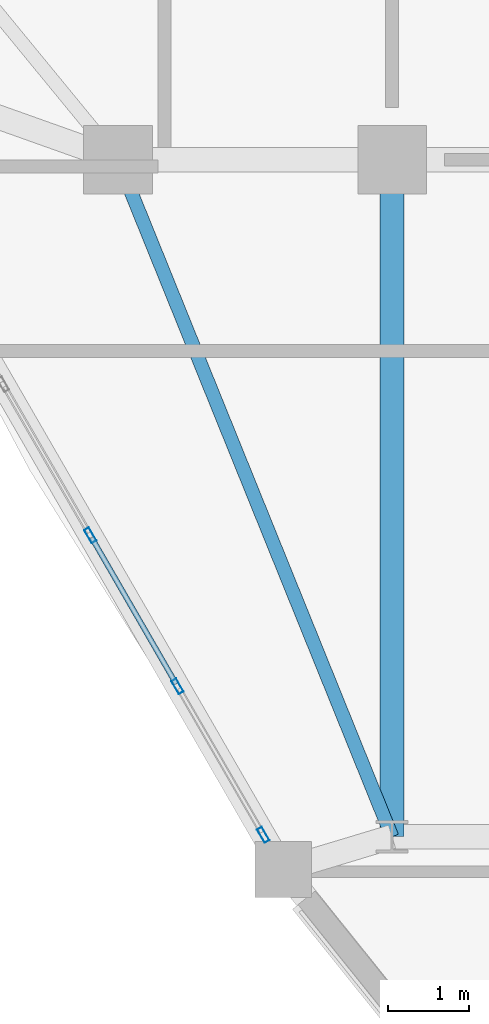
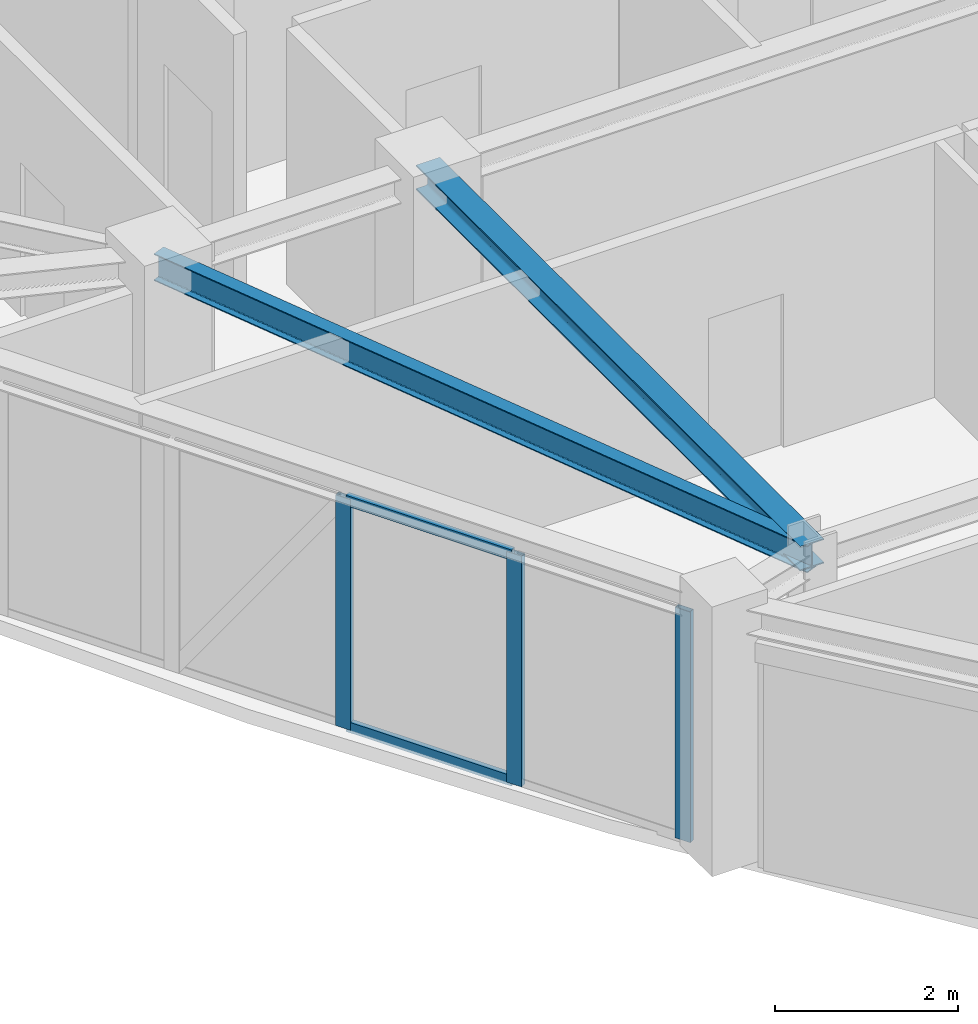
# One storey, part 2 of 15: 5 members, 2 beams, 1 element without a shape of its own.
"""IFC4 building model written with IfcOpenShell, lengths in metres."""

from ifc_helpers import new_model, si_unit, derived_unit, direction, frame, origin, origin_2d, place, context, subcontext, project, spatial, hollow_rectangle, i_section, extrude, source, transform, mapped, material, layer, layer_set, material_profile, profile_set, type_object, element, aggregate, save


model = new_model("IFC4")

# Units and contexts
model_context = context("Model", 3, precision=1e-05, world=origin(), true_north=direction((0.0, 1.0)))
body_context = subcontext(model_context, "Body", "Model", "MODEL_VIEW")
ifc_project = project(units=[si_unit("LENGTHUNIT", "METRE"), si_unit("AREAUNIT", "SQUARE_METRE"), si_unit("VOLUMEUNIT", "CUBIC_METRE"), si_unit("PLANEANGLEUNIT", "RADIAN"), si_unit("MASSUNIT", "GRAM", prefix="KILO"), derived_unit("THERMALTRANSMITTANCEUNIT", [(si_unit("POWERUNIT", "WATT"), 1), (si_unit("LENGTHUNIT", "METRE"), -2), (si_unit("THERMODYNAMICTEMPERATUREUNIT", "KELVIN"), -1)])], contexts=[model_context])

# Site, building, storey
site_placement = place(None, origin())
site = spatial("IfcSite", under=ifc_project, at=site_placement, CompositionType="ELEMENT")
building_placement = place(site_placement, origin())
building = spatial("IfcBuilding", under=site, at=building_placement, Name="Korsvarv Bourse and Concert Hall", CompositionType="ELEMENT")
storey_placement = place(building_placement, frame((0.0, 0.0, 268.199951171875)))
storey = spatial("IfcBuildingStorey", under=building, at=storey_placement, Name="L70", CompositionType="ELEMENT", Elevation=268.199951171875)

# Beams
ifc_material_1 = material(Name="Steel S355", Category="steel")
ifc_material_profile_1 = material_profile(ifc_material_1, i_section(OverallWidth=0.169921875, OverallDepth=0.360107421875, WebThickness=0.008056640625, FlangeThickness=0.0126953125, FilletRadius=0.01806640625, at=origin_2d()), Name="IPE 360")
ifc_profile_set_1 = profile_set([ifc_material_profile_1], Name="Steel S355")
beam_type_1 = type_object("IfcBeamType", Name="BM-IPE360", PredefinedType="JOIST", material=ifc_profile_set_1)
shared_shape_1 = source(origin(), body_context, "Body", "SweptSolid", [
    extrude(i_section(OverallWidth=0.169921875, OverallDepth=0.360107421875, WebThickness=0.008056640625, FlangeThickness=0.0126953125, FilletRadius=0.01806640625, at=origin_2d()), origin(), (0.0, 0.0, 1.0), 9.06201171875),
])
beam_1_placement = place(storey_placement, frame((24.199951171875, 32.39990234375, 3.22998046875), z_axis=(0.375210394783, -0.926939674222, 0.0), x_axis=(0.926939674222, 0.375210394783, 0.0)))
element("IfcBeam", 1, at=beam_1_placement, inside=storey, type_object=beam_type_1, Name="L70 beam J-06", PredefinedType="JOIST", context=body_context, shape_type="MappedRepresentation", body=[
    mapped(shared_shape_1, transform((0.0, 0.0, 0.0), scale=1.0)),
])
ifc_material_profile_2 = material_profile(ifc_material_1, i_section(OverallWidth=0.300048828125, OverallDepth=0.330078125, WebThickness=0.009521484375, FlangeThickness=0.0166015625, FilletRadius=0.02099609375, at=origin_2d()), Name="HEA 340")
ifc_profile_set_2 = profile_set([ifc_material_profile_2], Name="Steel S355")
beam_type_2 = type_object("IfcBeamType", Name="BM-HEA340", PredefinedType="BEAM", material=ifc_profile_set_2)
shared_shape_2 = source(origin(), body_context, "Body", "SweptSolid", [
    extrude(i_section(OverallWidth=0.300048828125, OverallDepth=0.330078125, WebThickness=0.009521484375, FlangeThickness=0.0166015625, FilletRadius=0.02099609375, at=origin_2d()), origin(), (0.0, 0.0, 1.0), 8.39990234375),
])
beam_2_placement = place(storey_placement, frame((27.60009765625, 24.0, 3.2451171875), z_axis=(0.0, 1.0, 0.0), x_axis=(-1.0, 0.0, 0.0)))
element("IfcBeam", 2, at=beam_2_placement, inside=storey, type_object=beam_type_2, Name="L70 beam B-12", PredefinedType="BEAM", context=body_context, shape_type="MappedRepresentation", body=[
    mapped(shared_shape_2, transform((0.0, 0.0, 0.0), scale=1.0)),
])

# Curtain wall, members
ifc_material_2 = material(Name="Anodised aluminium and triple low-E glazing", Category="glass")
ifc_layer = layer(ifc_material_2, 0.199951171875)
ifc_layer_set = layer_set([ifc_layer], Name="Anodised aluminium and triple low-E glazing")
curtain_wall_type = type_object("IfcCurtainWallType", Name="CW-SYS-3", PredefinedType="NOTDEFINED", material=ifc_layer_set)
curtain_wall_placement = place(storey_placement, origin())
curtain_wall = element("IfcCurtainWall", 3, at=curtain_wall_placement, inside=storey, type_object=curtain_wall_type, Name="L70 CW3 curtain wall CW-L70-F07", PredefinedType="NOTDEFINED")
ifc_material_3 = material(Name="Extruded aluminium EN AW-6063 T66", Category="aluminium")
ifc_material_profile_3 = material_profile(ifc_material_3, hollow_rectangle(XDim=0.070068359375, YDim=0.18994140625, WallThickness=0.0048828125, at=origin_2d()), Name="ALU-M 70x190")
ifc_profile_set_3 = profile_set([ifc_material_profile_3], Name="Extruded aluminium EN AW-6063 T66")
member_type_1 = type_object("IfcMemberType", Name="CWM-190", PredefinedType="MULLION", material=ifc_profile_set_3)
shared_shape_3 = source(origin(), body_context, "Body", "SweptSolid", [
    extrude(hollow_rectangle(XDim=0.070068359375, YDim=0.18994140625, WallThickness=0.0048828125, at=origin_2d()), origin(), (0.0, 0.0, 1.0), 3.080078125),
])
member_1_placement = place(storey_placement, frame((23.856201171875, 27.739990234375, 0.0), z_axis=(0.0, 0.0, 1.0), x_axis=(0.866022834448, 0.500004450195, 0.0)))
member_1 = element("IfcMember", 4, at=member_1_placement, type_object=member_type_1, Name="CW3 mullion 4", PredefinedType="MULLION", context=body_context, shape_type="MappedRepresentation", body=[
    mapped(shared_shape_3, transform((0.0, 0.0, 0.0), scale=1.0)),
])
member_2_placement = place(storey_placement, frame((24.937744140625, 25.86669921875, 0.0), z_axis=(0.0, 0.0, 1.0), x_axis=(0.866022834448, 0.500004450195, 0.0)))
member_2 = element("IfcMember", 5, at=member_2_placement, type_object=member_type_1, Name="CW3 mullion 5", PredefinedType="MULLION", context=body_context, shape_type="MappedRepresentation", body=[
    mapped(shared_shape_3, transform((0.0, 0.0, 0.0), scale=1.0)),
])
member_3_placement = place(storey_placement, frame((26.001953125, 24.02392578125, 0.0), z_axis=(0.0, 0.0, 1.0), x_axis=(0.866022834448, 0.500004450195, 0.0)))
member_3 = element("IfcMember", 6, at=member_3_placement, type_object=member_type_1, Name="CW3 mullion 6", PredefinedType="MULLION", context=body_context, shape_type="MappedRepresentation", body=[
    mapped(shared_shape_3, transform((0.0, 0.0, 0.0), scale=1.0)),
])
ifc_material_profile_4 = material_profile(ifc_material_3, hollow_rectangle(XDim=0.06494140625, YDim=0.139892578125, WallThickness=0.00390625, at=origin_2d()), Name="ALU-T 65x140")
ifc_profile_set_4 = profile_set([ifc_material_profile_4], Name="Extruded aluminium EN AW-6063 T66")
member_type_2 = type_object("IfcMemberType", Name="CWT-140", PredefinedType="USERDEFINED", material=ifc_profile_set_4)
shared_shape_4 = source(origin(), body_context, "Body", "SweptSolid", [
    extrude(hollow_rectangle(XDim=0.06494140625, YDim=0.139892578125, WallThickness=0.00390625, at=origin_2d()), origin(), (0.0, 0.0, 1.0), 2.09326171875),
])
member_4_placement = place(storey_placement, frame((23.873779296875, 27.709716796875, 0.032470703125), z_axis=(0.5000152428, -0.866016603171, 0.0), x_axis=(0.866016603171, 0.5000152428, 0.0)))
member_4 = element("IfcMember", 7, at=member_4_placement, type_object=member_type_2, Name="CW3 transom 4.1", ObjectType="TRANSOM", PredefinedType="USERDEFINED", context=body_context, shape_type="MappedRepresentation", body=[
    mapped(shared_shape_4, transform((0.0, 0.0, 0.0), scale=1.0)),
])
member_5_placement = place(storey_placement, frame((23.873779296875, 27.709716796875, 3.047607421875), z_axis=(0.5000152428, -0.866016603171, 0.0), x_axis=(0.866016603171, 0.5000152428, 0.0)))
member_5 = element("IfcMember", 8, at=member_5_placement, type_object=member_type_2, Name="CW3 transom 4.2", ObjectType="TRANSOM", PredefinedType="USERDEFINED", context=body_context, shape_type="MappedRepresentation", body=[
    mapped(shared_shape_4, transform((0.0, 0.0, 0.0), scale=1.0)),
])
aggregate(curtain_wall, [member_1, member_2, member_3, member_4, member_5])

save(model, "model.ifc")
